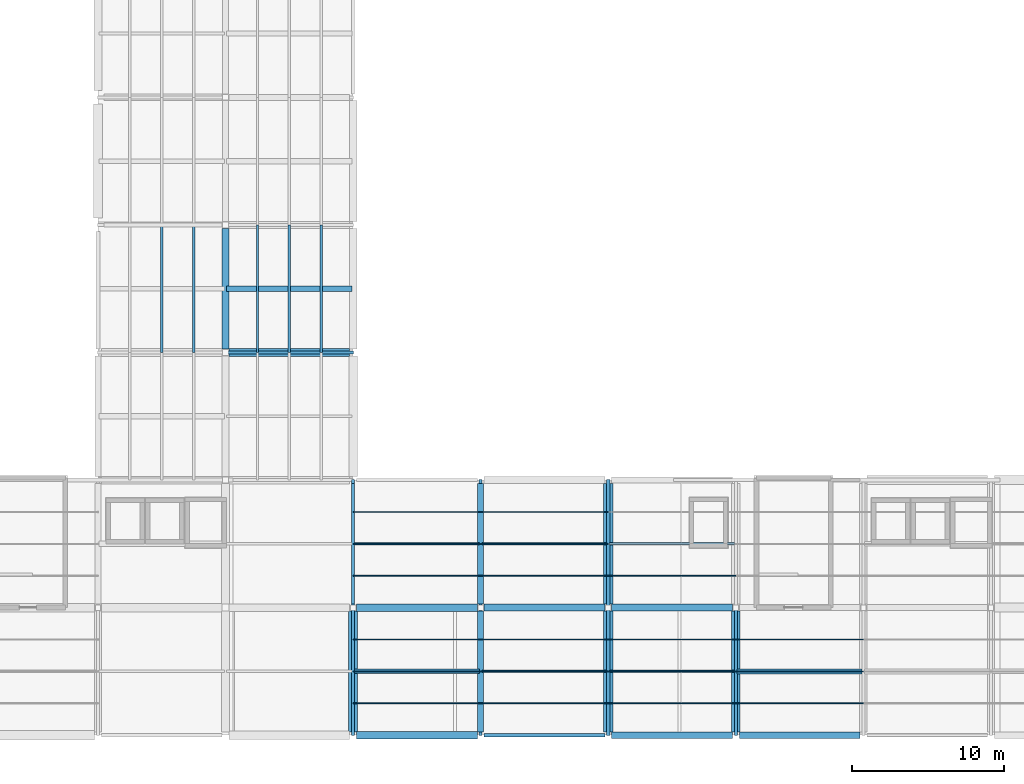
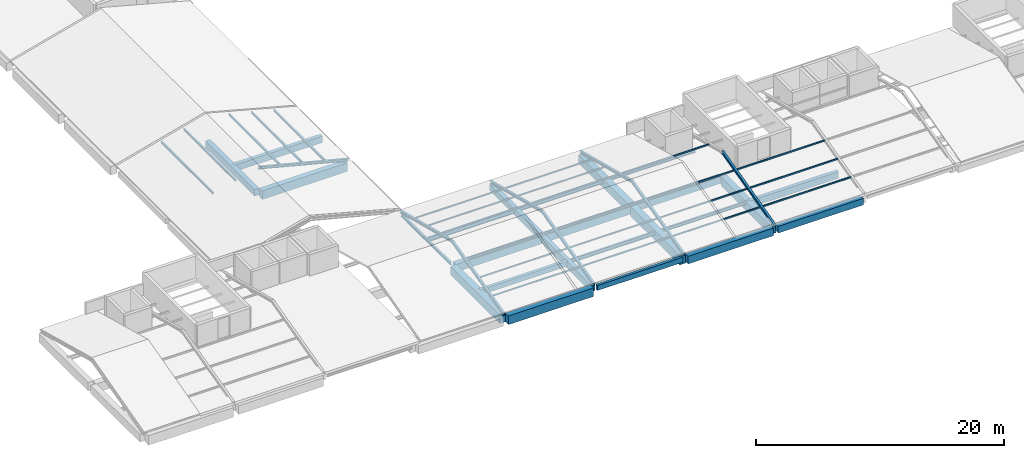
# One storey, part 2 of 17: 32 members, 24 beams.
"""IFC4 building model written with IfcOpenShell, lengths in metres."""

from ifc_helpers import new_model, si_unit, derived_unit, direction, frame, origin, origin_2d, place, context, subcontext, project, spatial, rectangle, hollow_rectangle, i_section, extrude, material, material_profile, profile_set, type_object, element, save


model = new_model("IFC4")

# Units and contexts
model_context = context("Model", 3, precision=1e-05, world=origin(), true_north=direction((0.0, 1.0)))
body_context = subcontext(model_context, "Body", "Model", "MODEL_VIEW")
ifc_project = project(units=[si_unit("LENGTHUNIT", "METRE"), si_unit("AREAUNIT", "SQUARE_METRE"), si_unit("VOLUMEUNIT", "CUBIC_METRE"), si_unit("PLANEANGLEUNIT", "RADIAN"), si_unit("MASSUNIT", "GRAM", prefix="KILO"), derived_unit("THERMALTRANSMITTANCEUNIT", [(si_unit("POWERUNIT", "WATT"), 1), (si_unit("LENGTHUNIT", "METRE"), -2), (si_unit("THERMODYNAMICTEMPERATUREUNIT", "KELVIN"), -1)])], contexts=[model_context])

# Site, building, storey
site_placement = place(None, origin())
site = spatial("IfcSite", under=ifc_project, at=site_placement, CompositionType="ELEMENT")
building_placement = place(site_placement, origin())
building = spatial("IfcBuilding", under=site, at=building_placement, Name="Barrovel Congress Hotel", CompositionType="ELEMENT")
storey_placement = place(building_placement, frame((0.0, 0.0, 47.10009765625)))
storey = spatial("IfcBuildingStorey", under=building, at=storey_placement, Name="RF", CompositionType="ELEMENT", Elevation=47.10009765625)

# Beams
ifc_material_1 = material(Name="Concrete C40", Category="concrete")
ifc_material_profile_1 = material_profile(ifc_material_1, rectangle(XDim=0.25, YDim=0.5, at=origin_2d()), Name="RC250x500")
ifc_profile_set_1 = profile_set([ifc_material_profile_1], Name="Concrete C40")
beam_type_1 = type_object("IfcBeamType", Name="BM-RC250x500", PredefinedType="SPANDREL", material=ifc_profile_set_1)
beam_1_placement = place(storey_placement, frame((59.02490234375, 4.199951171875, -0.489990234375), z_axis=(1.0, 0.0, 0.0), x_axis=(0.0, 1.0, 0.0)))
element("IfcBeam", 1, at=beam_1_placement, inside=storey, type_object=beam_type_1, Name="BMX:RF:4.2:58.8-67.2", PredefinedType="SPANDREL", context=body_context, shape_type="SweptSolid", body=[
    extrude(rectangle(XDim=0.25, YDim=0.5, at=origin_2d()), origin(), (0.0, 0.0, 1.0), 7.9501953125),
])
ifc_material_profile_2 = material_profile(ifc_material_1, rectangle(XDim=0.300048828125, YDim=0.5, at=origin_2d()), Name="RC300x500")
ifc_profile_set_2 = profile_set([ifc_material_profile_2], Name="Concrete C40")
beam_type_2 = type_object("IfcBeamType", Name="BM-RC300x500", PredefinedType="JOIST", material=ifc_profile_set_2)
beam_2_placement = place(storey_placement, frame((50.47998046875, 8.39990234375, -0.489990234375), z_axis=(1.0, 0.0, 0.0), x_axis=(0.0, 1.0, 0.0)))
element("IfcBeam", 2, at=beam_2_placement, inside=storey, type_object=beam_type_2, Name="JST:RF:50.4:8.4", PredefinedType="JOIST", context=body_context, shape_type="SweptSolid", body=[
    extrude(rectangle(XDim=0.300048828125, YDim=0.5, at=origin_2d()), origin(), (0.0, 0.0, 1.0), 8.239990234375),
])
ifc_material_profile_3 = material_profile(ifc_material_1, rectangle(XDim=0.35009765625, YDim=0.64990234375, at=origin_2d()), Name="RC350x650")
ifc_profile_set_3 = profile_set([ifc_material_profile_3], Name="Concrete C40")
beam_type_3 = type_object("IfcBeamType", Name="BM-RC350x650", PredefinedType="JOIST", material=ifc_profile_set_3)
for number, where, z_axis, x_axis, name in (
    (3, (42.080078125, 33.60009765625, -0.565185546875), (1.0, 0.0, 0.0), (0.0, 1.0, 0.0), "JST:RF:42.0:33.6"),
    (4, (75.679931640625, 8.39990234375, -0.565185546875), (1.0, 0.0, 0.0), (0.0, 1.0, 0.0), "JST:RF:75.6:8.4"),
):
    element("IfcBeam", number, at=place(storey_placement, frame(where, z_axis=z_axis, x_axis=x_axis)), inside=storey, type_object=beam_type_3, Name=name, PredefinedType="JOIST", context=body_context, shape_type="SweptSolid", body=[
        extrude(rectangle(XDim=0.35009765625, YDim=0.64990234375, at=origin_2d()), origin(), (0.0, 0.0, 1.0), 8.239990234375),
    ])
ifc_material_profile_4 = material_profile(ifc_material_1, rectangle(XDim=0.39990234375, YDim=0.60009765625, at=origin_2d()), Name="RC400x600")
ifc_profile_set_4 = profile_set([ifc_material_profile_4], Name="Concrete C40")
beam_type_4 = type_object("IfcBeamType", Name="BM-RC400x600", PredefinedType="BEAM", material=ifc_profile_set_4)
beam_3_placement = place(storey_placement, frame((58.800048828125, 12.824951171875, -0.5400390625), z_axis=(0.0, 1.0, 0.0), x_axis=(-1.0, 0.0, 0.0)))
element("IfcBeam", 5, at=beam_3_placement, inside=storey, type_object=beam_type_4, Name="BMY:RF:58.8:12.6-21.0", PredefinedType="BEAM", context=body_context, shape_type="SweptSolid", body=[
    extrude(rectangle(XDim=0.39990234375, YDim=0.60009765625, at=origin_2d()), origin(), (0.0, 0.0, 1.0), 7.949951171875),
])
ifc_material_profile_5 = material_profile(ifc_material_1, rectangle(XDim=0.39990234375, YDim=0.699951171875, at=origin_2d()), Name="RC400x700")
ifc_profile_set_5 = profile_set([ifc_material_profile_5], Name="Concrete C40")
beam_type_5 = type_object("IfcBeamType", Name="BM-RC400x700", PredefinedType="BEAM", material=ifc_profile_set_5)
beam_4_placement = place(storey_placement, frame((58.800048828125, 4.425048828125, -0.590087890625), z_axis=(0.0, 1.0, 0.0), x_axis=(-1.0, 0.0, 0.0)))
element("IfcBeam", 6, at=beam_4_placement, inside=storey, type_object=beam_type_5, Name="BMY:RF:58.8:4.2-12.6", PredefinedType="BEAM", context=body_context, shape_type="SweptSolid", body=[
    extrude(rectangle(XDim=0.39990234375, YDim=0.699951171875, at=origin_2d()), origin(), (0.0, 0.0, 1.0), 7.949951171875),
])
ifc_material_profile_6 = material_profile(ifc_material_1, rectangle(XDim=0.449951171875, YDim=0.64990234375, at=origin_2d()), Name="RC450x650")
ifc_profile_set_6 = profile_set([ifc_material_profile_6], Name="Concrete C40")
beam_type_6 = type_object("IfcBeamType", Name="BM-RC450x650", PredefinedType="BEAM", material=ifc_profile_set_6)
for number, where, z_axis, x_axis, name in (
    (7, (75.824951171875, 4.199951171875, -0.565185546875), (1.0, 0.0, 0.0), (0.0, 1.0, 0.0), "BMX:RF:4.2:75.6-84.0"),
    (8, (67.425048828125, 12.60009765625, -0.565185546875), (1.0, 0.0, 0.0), (0.0, 1.0, 0.0), "BMX:RF:12.6:67.2-75.6"),
    (9, (42.0, 29.625, -0.565185546875), (0.0, 1.0, 0.0), (-1.0, 0.0, 0.0), "BMY:RF:42.0:29.4-37.8"),
):
    element("IfcBeam", number, at=place(storey_placement, frame(where, z_axis=z_axis, x_axis=x_axis)), inside=storey, type_object=beam_type_6, Name=name, PredefinedType="BEAM", context=body_context, shape_type="SweptSolid", body=[
        extrude(rectangle(XDim=0.449951171875, YDim=0.64990234375, at=origin_2d()), origin(), (0.0, 0.0, 1.0), 7.949951171875),
    ])
ifc_material_profile_7 = material_profile(ifc_material_1, rectangle(XDim=0.449951171875, YDim=0.75, at=origin_2d()), Name="RC450x750")
ifc_profile_set_7 = profile_set([ifc_material_profile_7], Name="Concrete C40")
beam_type_7 = type_object("IfcBeamType", Name="BM-RC450x750", PredefinedType="BEAM", material=ifc_profile_set_7)
beam_5_placement = place(storey_placement, frame((67.425048828125, 4.199951171875, -0.614990234375), z_axis=(1.0, 0.0, 0.0), x_axis=(0.0, 1.0, 0.0)))
element("IfcBeam", 10, at=beam_5_placement, inside=storey, type_object=beam_type_7, Name="BMX:RF:4.2:67.2-75.6", PredefinedType="BEAM", context=body_context, shape_type="SweptSolid", body=[
    extrude(rectangle(XDim=0.449951171875, YDim=0.75, at=origin_2d()), origin(), (0.0, 0.0, 1.0), 7.949951171875),
])
beam_6_placement = place(storey_placement, frame((59.02490234375, 12.60009765625, -0.614990234375), z_axis=(1.0, 0.0, 0.0), x_axis=(0.0, 1.0, 0.0)))
element("IfcBeam", 11, at=beam_6_placement, inside=storey, type_object=beam_type_7, Name="BMX:RF:12.6:58.8-67.2", PredefinedType="BEAM", context=body_context, shape_type="SweptSolid", body=[
    extrude(rectangle(XDim=0.449951171875, YDim=0.75, at=origin_2d()), origin(), (0.0, 0.0, 1.0), 7.9501953125),
])
ifc_material_profile_8 = material_profile(ifc_material_1, rectangle(XDim=0.5, YDim=0.75, at=origin_2d()), Name="RC500x750")
ifc_profile_set_8 = profile_set([ifc_material_profile_8], Name="Concrete C40")
beam_type_8 = type_object("IfcBeamType", Name="BM-RC500x750", PredefinedType="BEAM", material=ifc_profile_set_8)
beam_7_placement = place(storey_placement, frame((50.625, 12.60009765625, -0.614990234375), z_axis=(1.0, 0.0, 0.0), x_axis=(0.0, 1.0, 0.0)))
element("IfcBeam", 12, at=beam_7_placement, inside=storey, type_object=beam_type_8, Name="BMX:RF:12.6:50.4-58.8", PredefinedType="BEAM", context=body_context, shape_type="SweptSolid", body=[
    extrude(rectangle(XDim=0.5, YDim=0.75, at=origin_2d()), origin(), (0.0, 0.0, 1.0), 7.949951171875),
])
ifc_material_profile_9 = material_profile(ifc_material_1, rectangle(XDim=0.5, YDim=0.85009765625, at=origin_2d()), Name="RC500x850")
ifc_profile_set_9 = profile_set([ifc_material_profile_9], Name="Concrete C40")
beam_type_9 = type_object("IfcBeamType", Name="BM-RC500x850", PredefinedType="BEAM", material=ifc_profile_set_9)
for number, where, z_axis, x_axis, name in (
    (13, (50.625, 4.199951171875, -0.6650390625), (1.0, 0.0, 0.0), (0.0, 1.0, 0.0), "BMX:RF:4.2:50.4-58.8"),
    (14, (42.22509765625, 29.39990234375, -0.6650390625), (1.0, 0.0, 0.0), (0.0, 1.0, 0.0), "BMX:RF:29.4:42.0-50.4"),
):
    element("IfcBeam", number, at=place(storey_placement, frame(where, z_axis=z_axis, x_axis=x_axis)), inside=storey, type_object=beam_type_9, Name=name, PredefinedType="BEAM", context=body_context, shape_type="SweptSolid", body=[
        extrude(rectangle(XDim=0.5, YDim=0.85009765625, at=origin_2d()), origin(), (0.0, 0.0, 1.0), 7.949951171875),
    ])
ifc_material_profile_10 = material_profile(ifc_material_1, rectangle(XDim=0.550048828125, YDim=0.89990234375, at=origin_2d()), Name="RC550x900")
ifc_profile_set_10 = profile_set([ifc_material_profile_10], Name="Concrete C40")
beam_type_10 = type_object("IfcBeamType", Name="BM-RC550x900", PredefinedType="BEAM", material=ifc_profile_set_10)
beam_8_placement = place(storey_placement, frame((75.60009765625, 4.425048828125, -0.690185546875), z_axis=(0.0, 1.0, 0.0), x_axis=(-1.0, 0.0, 0.0)))
element("IfcBeam", 15, at=beam_8_placement, inside=storey, type_object=beam_type_10, Name="BMY:RF:75.6:4.2-12.6", PredefinedType="BEAM", context=body_context, shape_type="SweptSolid", body=[
    extrude(rectangle(XDim=0.550048828125, YDim=0.89990234375, at=origin_2d()), origin(), (0.0, 0.0, 1.0), 7.949951171875),
])
ifc_material_profile_11 = material_profile(ifc_material_1, rectangle(XDim=0.60009765625, YDim=0.85009765625, at=origin_2d()), Name="RC600x850")
ifc_profile_set_11 = profile_set([ifc_material_profile_11], Name="Concrete C40")
beam_type_11 = type_object("IfcBeamType", Name="BM-RC600x850", PredefinedType="BEAM", material=ifc_profile_set_11)
for number, where, z_axis, x_axis, name in (
    (16, (50.39990234375, 4.425048828125, -0.6650390625), (0.0, 1.0, 0.0), (-1.0, 0.0, 0.0), "BMY:RF:50.4:4.2-12.6"),
    (17, (67.199951171875, 12.824951171875, -0.6650390625), (0.0, 1.0, 0.0), (-1.0, 0.0, 0.0), "BMY:RF:67.2:12.6-21.0"),
):
    element("IfcBeam", number, at=place(storey_placement, frame(where, z_axis=z_axis, x_axis=x_axis)), inside=storey, type_object=beam_type_11, Name=name, PredefinedType="BEAM", context=body_context, shape_type="SweptSolid", body=[
        extrude(rectangle(XDim=0.60009765625, YDim=0.85009765625, at=origin_2d()), origin(), (0.0, 0.0, 1.0), 7.949951171875),
    ])
ifc_material_profile_12 = material_profile(ifc_material_1, rectangle(XDim=0.60009765625, YDim=0.949951171875, at=origin_2d()), Name="RC600x950")
ifc_profile_set_12 = profile_set([ifc_material_profile_12], Name="Concrete C40")
beam_type_12 = type_object("IfcBeamType", Name="BM-RC600x950", PredefinedType="BEAM", material=ifc_profile_set_12)
beam_9_placement = place(storey_placement, frame((67.199951171875, 4.425048828125, -0.715087890625), z_axis=(0.0, 1.0, 0.0), x_axis=(-1.0, 0.0, 0.0)))
element("IfcBeam", 18, at=beam_9_placement, inside=storey, type_object=beam_type_12, Name="BMY:RF:67.2:4.2-12.6", PredefinedType="BEAM", context=body_context, shape_type="SweptSolid", body=[
    extrude(rectangle(XDim=0.60009765625, YDim=0.949951171875, at=origin_2d()), origin(), (0.0, 0.0, 1.0), 7.949951171875),
])

# Members
ifc_material_2 = material(Name="Steel ASTM A500 Grade C", Category="steel")
ifc_material_profile_13 = material_profile(ifc_material_2, hollow_rectangle(XDim=0.076171875, YDim=0.15234375, WallThickness=0.005859375, InnerFilletRadius=0.005859375, OuterFilletRadius=0.01171875, at=origin_2d()), Name="HSS152x76x6.4")
ifc_profile_set_13 = profile_set([ifc_material_profile_13], Name="Steel ASTM A500 Grade C")
member_type_1 = type_object("IfcMemberType", Name="MEM-HSS152x76x6.4", PredefinedType="STRINGER", material=ifc_profile_set_13)
member_1_placement = place(storey_placement, frame((50.39990234375, 6.300048828125, 0.3876953125), z_axis=(1.0, 0.0, 0.0), x_axis=(0.0, 1.0, 0.0)))
element("IfcMember", 19, at=member_1_placement, inside=storey, type_object=member_type_1, Name="RF-PUR:6.3:50.4", PredefinedType="STRINGER", context=body_context, shape_type="SweptSolid", body=[
    extrude(hollow_rectangle(XDim=0.076171875, YDim=0.15234375, WallThickness=0.005859375, InnerFilletRadius=0.005859375, OuterFilletRadius=0.01171875, at=origin_2d()), origin(), (0.0, 0.0, 1.0), 8.400146484375),
])
member_2_placement = place(storey_placement, frame((58.800048828125, 6.300048828125, 0.3876953125), z_axis=(1.0, 0.0, 0.0), x_axis=(0.0, 1.0, 0.0)))
element("IfcMember", 20, at=member_2_placement, inside=storey, type_object=member_type_1, Name="RF-PUR:6.3:58.8", PredefinedType="STRINGER", context=body_context, shape_type="SweptSolid", body=[
    extrude(hollow_rectangle(XDim=0.076171875, YDim=0.15234375, WallThickness=0.005859375, InnerFilletRadius=0.005859375, OuterFilletRadius=0.01171875, at=origin_2d()), origin(), (0.0, 0.0, 1.0), 8.39990234375),
])
member_3_placement = place(storey_placement, frame((67.199951171875, 6.300048828125, 0.3876953125), z_axis=(1.0, 0.0, 0.0), x_axis=(0.0, 1.0, 0.0)))
element("IfcMember", 21, at=member_3_placement, inside=storey, type_object=member_type_1, Name="RF-PUR:6.3:67.2", PredefinedType="STRINGER", context=body_context, shape_type="SweptSolid", body=[
    extrude(hollow_rectangle(XDim=0.076171875, YDim=0.15234375, WallThickness=0.005859375, InnerFilletRadius=0.005859375, OuterFilletRadius=0.01171875, at=origin_2d()), origin(), (0.0, 0.0, 1.0), 8.400146484375),
])
member_4_placement = place(storey_placement, frame((75.60009765625, 6.300048828125, 0.3876953125), z_axis=(1.0, 0.0, 0.0), x_axis=(0.0, 1.0, 0.0)))
element("IfcMember", 22, at=member_4_placement, inside=storey, type_object=member_type_1, Name="RF-PUR:6.3:75.6", PredefinedType="STRINGER", context=body_context, shape_type="SweptSolid", body=[
    extrude(hollow_rectangle(XDim=0.076171875, YDim=0.15234375, WallThickness=0.005859375, InnerFilletRadius=0.005859375, OuterFilletRadius=0.01171875, at=origin_2d()), origin(), (0.0, 0.0, 1.0), 8.39990234375),
])
member_5_placement = place(storey_placement, frame((50.39990234375, 8.39990234375, 0.92529296875), z_axis=(1.0, 0.0, 0.0), x_axis=(0.0, 1.0, 0.0)))
element("IfcMember", 23, at=member_5_placement, inside=storey, type_object=member_type_1, Name="RF-PUR:8.4:50.4", PredefinedType="STRINGER", context=body_context, shape_type="SweptSolid", body=[
    extrude(hollow_rectangle(XDim=0.076171875, YDim=0.15234375, WallThickness=0.005859375, InnerFilletRadius=0.005859375, OuterFilletRadius=0.01171875, at=origin_2d()), origin(), (0.0, 0.0, 1.0), 8.400146484375),
])
member_6_placement = place(storey_placement, frame((58.800048828125, 8.39990234375, 0.92529296875), z_axis=(1.0, 0.0, 0.0), x_axis=(0.0, 1.0, 0.0)))
element("IfcMember", 24, at=member_6_placement, inside=storey, type_object=member_type_1, Name="RF-PUR:8.4:58.8", PredefinedType="STRINGER", context=body_context, shape_type="SweptSolid", body=[
    extrude(hollow_rectangle(XDim=0.076171875, YDim=0.15234375, WallThickness=0.005859375, InnerFilletRadius=0.005859375, OuterFilletRadius=0.01171875, at=origin_2d()), origin(), (0.0, 0.0, 1.0), 8.39990234375),
])
member_7_placement = place(storey_placement, frame((67.199951171875, 8.39990234375, 0.92529296875), z_axis=(1.0, 0.0, 0.0), x_axis=(0.0, 1.0, 0.0)))
element("IfcMember", 25, at=member_7_placement, inside=storey, type_object=member_type_1, Name="RF-PUR:8.4:67.2", PredefinedType="STRINGER", context=body_context, shape_type="SweptSolid", body=[
    extrude(hollow_rectangle(XDim=0.076171875, YDim=0.15234375, WallThickness=0.005859375, InnerFilletRadius=0.005859375, OuterFilletRadius=0.01171875, at=origin_2d()), origin(), (0.0, 0.0, 1.0), 8.400146484375),
])
member_8_placement = place(storey_placement, frame((75.60009765625, 8.39990234375, 0.92529296875), z_axis=(1.0, 0.0, 0.0), x_axis=(0.0, 1.0, 0.0)))
element("IfcMember", 26, at=member_8_placement, inside=storey, type_object=member_type_1, Name="RF-PUR:8.4:75.6", PredefinedType="STRINGER", context=body_context, shape_type="SweptSolid", body=[
    extrude(hollow_rectangle(XDim=0.076171875, YDim=0.15234375, WallThickness=0.005859375, InnerFilletRadius=0.005859375, OuterFilletRadius=0.01171875, at=origin_2d()), origin(), (0.0, 0.0, 1.0), 8.39990234375),
])
member_9_placement = place(storey_placement, frame((50.39990234375, 10.5, 1.462890625), z_axis=(1.0, 0.0, 0.0), x_axis=(0.0, 1.0, 0.0)))
element("IfcMember", 27, at=member_9_placement, inside=storey, type_object=member_type_1, Name="RF-PUR:10.5:50.4", PredefinedType="STRINGER", context=body_context, shape_type="SweptSolid", body=[
    extrude(hollow_rectangle(XDim=0.076171875, YDim=0.15234375, WallThickness=0.005859375, InnerFilletRadius=0.005859375, OuterFilletRadius=0.01171875, at=origin_2d()), origin(), (0.0, 0.0, 1.0), 8.400146484375),
])
member_10_placement = place(storey_placement, frame((58.800048828125, 10.5, 1.462890625), z_axis=(1.0, 0.0, 0.0), x_axis=(0.0, 1.0, 0.0)))
element("IfcMember", 28, at=member_10_placement, inside=storey, type_object=member_type_1, Name="RF-PUR:10.5:58.8", PredefinedType="STRINGER", context=body_context, shape_type="SweptSolid", body=[
    extrude(hollow_rectangle(XDim=0.076171875, YDim=0.15234375, WallThickness=0.005859375, InnerFilletRadius=0.005859375, OuterFilletRadius=0.01171875, at=origin_2d()), origin(), (0.0, 0.0, 1.0), 8.39990234375),
])
member_11_placement = place(storey_placement, frame((67.199951171875, 10.5, 1.462890625), z_axis=(1.0, 0.0, 0.0), x_axis=(0.0, 1.0, 0.0)))
element("IfcMember", 29, at=member_11_placement, inside=storey, type_object=member_type_1, Name="RF-PUR:10.5:67.2", PredefinedType="STRINGER", context=body_context, shape_type="SweptSolid", body=[
    extrude(hollow_rectangle(XDim=0.076171875, YDim=0.15234375, WallThickness=0.005859375, InnerFilletRadius=0.005859375, OuterFilletRadius=0.01171875, at=origin_2d()), origin(), (0.0, 0.0, 1.0), 8.400146484375),
])
member_12_placement = place(storey_placement, frame((75.60009765625, 10.5, 1.462890625), z_axis=(1.0, 0.0, 0.0), x_axis=(0.0, 1.0, 0.0)))
element("IfcMember", 30, at=member_12_placement, inside=storey, type_object=member_type_1, Name="RF-PUR:10.5:75.6", PredefinedType="STRINGER", context=body_context, shape_type="SweptSolid", body=[
    extrude(hollow_rectangle(XDim=0.076171875, YDim=0.15234375, WallThickness=0.005859375, InnerFilletRadius=0.005859375, OuterFilletRadius=0.01171875, at=origin_2d()), origin(), (0.0, 0.0, 1.0), 8.39990234375),
])
member_13_placement = place(storey_placement, frame((50.39990234375, 14.699951171875, 1.462890625), z_axis=(1.0, 0.0, 0.0), x_axis=(0.0, 1.0, 0.0)))
element("IfcMember", 31, at=member_13_placement, inside=storey, type_object=member_type_1, Name="RF-PUR:14.7:50.4", PredefinedType="STRINGER", context=body_context, shape_type="SweptSolid", body=[
    extrude(hollow_rectangle(XDim=0.076171875, YDim=0.15234375, WallThickness=0.005859375, InnerFilletRadius=0.005859375, OuterFilletRadius=0.01171875, at=origin_2d()), origin(), (0.0, 0.0, 1.0), 8.400146484375),
])
member_14_placement = place(storey_placement, frame((58.800048828125, 14.699951171875, 1.462890625), z_axis=(1.0, 0.0, 0.0), x_axis=(0.0, 1.0, 0.0)))
element("IfcMember", 32, at=member_14_placement, inside=storey, type_object=member_type_1, Name="RF-PUR:14.7:58.8", PredefinedType="STRINGER", context=body_context, shape_type="SweptSolid", body=[
    extrude(hollow_rectangle(XDim=0.076171875, YDim=0.15234375, WallThickness=0.005859375, InnerFilletRadius=0.005859375, OuterFilletRadius=0.01171875, at=origin_2d()), origin(), (0.0, 0.0, 1.0), 8.39990234375),
])
for number, where, z_axis, x_axis, name in (
    (33, (67.199951171875, 14.699951171875, 1.462890625), (1.0, 0.0, 0.0), (0.0, 1.0, 0.0), "RF-PUR:14.7:67.2"),
    (34, (50.39990234375, 16.800048828125, 0.92529296875), (1.0, 0.0, 0.0), (0.0, 1.0, 0.0), "RF-PUR:16.8:50.4"),
):
    element("IfcMember", number, at=place(storey_placement, frame(where, z_axis=z_axis, x_axis=x_axis)), inside=storey, type_object=member_type_1, Name=name, PredefinedType="STRINGER", context=body_context, shape_type="SweptSolid", body=[
        extrude(hollow_rectangle(XDim=0.076171875, YDim=0.15234375, WallThickness=0.005859375, InnerFilletRadius=0.005859375, OuterFilletRadius=0.01171875, at=origin_2d()), origin(), (0.0, 0.0, 1.0), 8.400146484375),
    ])
member_15_placement = place(storey_placement, frame((58.800048828125, 16.800048828125, 0.92529296875), z_axis=(1.0, 0.0, 0.0), x_axis=(0.0, 1.0, 0.0)))
element("IfcMember", 35, at=member_15_placement, inside=storey, type_object=member_type_1, Name="RF-PUR:16.8:58.8", PredefinedType="STRINGER", context=body_context, shape_type="SweptSolid", body=[
    extrude(hollow_rectangle(XDim=0.076171875, YDim=0.15234375, WallThickness=0.005859375, InnerFilletRadius=0.005859375, OuterFilletRadius=0.01171875, at=origin_2d()), origin(), (0.0, 0.0, 1.0), 8.39990234375),
])
member_16_placement = place(storey_placement, frame((50.39990234375, 18.89990234375, 0.3876953125), z_axis=(1.0, 0.0, 0.0), x_axis=(0.0, 1.0, 0.0)))
element("IfcMember", 36, at=member_16_placement, inside=storey, type_object=member_type_1, Name="RF-PUR:18.9:50.4", PredefinedType="STRINGER", context=body_context, shape_type="SweptSolid", body=[
    extrude(hollow_rectangle(XDim=0.076171875, YDim=0.15234375, WallThickness=0.005859375, InnerFilletRadius=0.005859375, OuterFilletRadius=0.01171875, at=origin_2d()), origin(), (0.0, 0.0, 1.0), 8.400146484375),
])
member_17_placement = place(storey_placement, frame((58.800048828125, 18.89990234375, 0.3876953125), z_axis=(1.0, 0.0, 0.0), x_axis=(0.0, 1.0, 0.0)))
element("IfcMember", 37, at=member_17_placement, inside=storey, type_object=member_type_1, Name="RF-PUR:18.9:58.8", PredefinedType="STRINGER", context=body_context, shape_type="SweptSolid", body=[
    extrude(hollow_rectangle(XDim=0.076171875, YDim=0.15234375, WallThickness=0.005859375, InnerFilletRadius=0.005859375, OuterFilletRadius=0.01171875, at=origin_2d()), origin(), (0.0, 0.0, 1.0), 8.39990234375),
])
ifc_material_3 = material(Name="Steel ASTM A992 Grade 50", Category="steel")
ifc_material_profile_14 = material_profile(ifc_material_3, i_section(OverallWidth=0.152099609375, OverallDepth=0.152099609375, WebThickness=0.005859375, FlangeThickness=0.006591796875, FilletRadius=0.009033203125, at=origin_2d()), Name="W150x22.5")
ifc_profile_set_14 = profile_set([ifc_material_profile_14], Name="Steel ASTM A992 Grade 50")
member_type_2 = type_object("IfcMemberType", Name="MEM-W150x22.5", PredefinedType="STRINGER", material=ifc_profile_set_14)
for number, where, z_axis, x_axis, name in (
    (38, (37.800048828125, 29.39990234375, 0.92529296875), (0.0, 1.0, 0.0), (-1.0, 0.0, 0.0), "RF-WPUR:37.8:29.4"),
    (39, (39.89990234375, 29.39990234375, 1.462890625), (0.0, 1.0, 0.0), (-1.0, 0.0, 0.0), "RF-WPUR:39.9:29.4"),
    (40, (44.10009765625, 29.39990234375, 1.462890625), (0.0, 1.0, 0.0), (-1.0, 0.0, 0.0), "RF-WPUR:44.1:29.4"),
    (41, (46.199951171875, 29.39990234375, 0.92529296875), (0.0, 1.0, 0.0), (-1.0, 0.0, 0.0), "RF-WPUR:46.2:29.4"),
    (42, (48.300048828125, 29.39990234375, 0.3876953125), (0.0, 1.0, 0.0), (-1.0, 0.0, 0.0), "RF-WPUR:48.3:29.4"),
):
    element("IfcMember", number, at=place(storey_placement, frame(where, z_axis=z_axis, x_axis=x_axis)), inside=storey, type_object=member_type_2, Name=name, PredefinedType="STRINGER", context=body_context, shape_type="SweptSolid", body=[
        extrude(i_section(OverallWidth=0.152099609375, OverallDepth=0.152099609375, WebThickness=0.005859375, FlangeThickness=0.006591796875, FilletRadius=0.009033203125, at=origin_2d()), origin(), (0.0, 0.0, 1.0), 8.400146484375),
    ])
ifc_material_profile_15 = material_profile(ifc_material_3, i_section(OverallWidth=0.201904296875, OverallDepth=0.2470703125, WebThickness=0.00732421875, FlangeThickness=0.010986328125, FilletRadius=0.011962890625, at=origin_2d()), Name="W250x49")
ifc_profile_set_15 = profile_set([ifc_material_profile_15], Name="Steel ASTM A992 Grade 50")
member_type_3 = type_object("IfcMemberType", Name="MEM-W250x49", PredefinedType="RAFTER", material=ifc_profile_set_15)
member_18_placement = place(storey_placement, frame((50.39990234375, 4.199951171875, -0.150146484375), z_axis=(0.0, 0.968747183788, 0.248050184241), x_axis=(-1.0, 0.0, 0.0)))
element("IfcMember", 43, at=member_18_placement, inside=storey, type_object=member_type_3, Name="RF-RAF-S:50.4", PredefinedType="RAFTER", context=body_context, shape_type="SweptSolid", body=[
    extrude(i_section(OverallWidth=0.201904296875, OverallDepth=0.2470703125, WebThickness=0.00732421875, FlangeThickness=0.010986328125, FilletRadius=0.011962890625, at=origin_2d()), origin(), (0.0, 0.0, 1.0), 8.671142578125),
])
member_19_placement = place(storey_placement, frame((50.39990234375, 12.60009765625, 2.000732421875), z_axis=(0.0, 0.968745451339, -0.248056950134), x_axis=(-1.0, 0.0, 0.0)))
element("IfcMember", 44, at=member_19_placement, inside=storey, type_object=member_type_3, Name="RF-RAF-N:50.4", PredefinedType="RAFTER", context=body_context, shape_type="SweptSolid", body=[
    extrude(i_section(OverallWidth=0.201904296875, OverallDepth=0.2470703125, WebThickness=0.00732421875, FlangeThickness=0.010986328125, FilletRadius=0.011962890625, at=origin_2d()), origin(), (0.0, 0.0, 1.0), 8.6708984375),
])
member_20_placement = place(storey_placement, frame((58.800048828125, 4.199951171875, -0.150146484375), z_axis=(0.0, 0.968747183788, 0.248050184241), x_axis=(-1.0, 0.0, 0.0)))
element("IfcMember", 45, at=member_20_placement, inside=storey, type_object=member_type_3, Name="RF-RAF-S:58.8", PredefinedType="RAFTER", context=body_context, shape_type="SweptSolid", body=[
    extrude(i_section(OverallWidth=0.201904296875, OverallDepth=0.2470703125, WebThickness=0.00732421875, FlangeThickness=0.010986328125, FilletRadius=0.011962890625, at=origin_2d()), origin(), (0.0, 0.0, 1.0), 8.671142578125),
])
member_21_placement = place(storey_placement, frame((58.800048828125, 12.60009765625, 2.000732421875), z_axis=(0.0, 0.968745451339, -0.248056950134), x_axis=(-1.0, 0.0, 0.0)))
element("IfcMember", 46, at=member_21_placement, inside=storey, type_object=member_type_3, Name="RF-RAF-N:58.8", PredefinedType="RAFTER", context=body_context, shape_type="SweptSolid", body=[
    extrude(i_section(OverallWidth=0.201904296875, OverallDepth=0.2470703125, WebThickness=0.00732421875, FlangeThickness=0.010986328125, FilletRadius=0.011962890625, at=origin_2d()), origin(), (0.0, 0.0, 1.0), 8.6708984375),
])
member_22_placement = place(storey_placement, frame((67.199951171875, 4.199951171875, -0.150146484375), z_axis=(0.0, 0.968747183788, 0.248050184241), x_axis=(-1.0, 0.0, 0.0)))
element("IfcMember", 47, at=member_22_placement, inside=storey, type_object=member_type_3, Name="RF-RAF-S:67.2", PredefinedType="RAFTER", context=body_context, shape_type="SweptSolid", body=[
    extrude(i_section(OverallWidth=0.201904296875, OverallDepth=0.2470703125, WebThickness=0.00732421875, FlangeThickness=0.010986328125, FilletRadius=0.011962890625, at=origin_2d()), origin(), (0.0, 0.0, 1.0), 8.671142578125),
])
member_23_placement = place(storey_placement, frame((67.199951171875, 12.60009765625, 2.000732421875), z_axis=(0.0, 0.968745451339, -0.248056950134), x_axis=(-1.0, 0.0, 0.0)))
element("IfcMember", 48, at=member_23_placement, inside=storey, type_object=member_type_3, Name="RF-RAF-N:67.2", PredefinedType="RAFTER", context=body_context, shape_type="SweptSolid", body=[
    extrude(i_section(OverallWidth=0.201904296875, OverallDepth=0.2470703125, WebThickness=0.00732421875, FlangeThickness=0.010986328125, FilletRadius=0.011962890625, at=origin_2d()), origin(), (0.0, 0.0, 1.0), 8.6708984375),
])
member_24_placement = place(storey_placement, frame((75.60009765625, 4.199951171875, -0.150146484375), z_axis=(0.0, 0.968747183788, 0.248050184241), x_axis=(-1.0, 0.0, 0.0)))
element("IfcMember", 49, at=member_24_placement, inside=storey, type_object=member_type_3, Name="RF-RAF-S:75.6", PredefinedType="RAFTER", context=body_context, shape_type="SweptSolid", body=[
    extrude(i_section(OverallWidth=0.201904296875, OverallDepth=0.2470703125, WebThickness=0.00732421875, FlangeThickness=0.010986328125, FilletRadius=0.011962890625, at=origin_2d()), origin(), (0.0, 0.0, 1.0), 8.671142578125),
])
member_25_placement = place(storey_placement, frame((42.0, 29.39990234375, 2.000732421875), z_axis=(0.968745451339, 0.0, -0.248056950134), x_axis=(0.0, 1.0, 0.0)))
element("IfcMember", 50, at=member_25_placement, inside=storey, type_object=member_type_3, Name="RF-WRAF-E:29.4", PredefinedType="RAFTER", context=body_context, shape_type="SweptSolid", body=[
    extrude(i_section(OverallWidth=0.201904296875, OverallDepth=0.2470703125, WebThickness=0.00732421875, FlangeThickness=0.010986328125, FilletRadius=0.011962890625, at=origin_2d()), origin(), (0.0, 0.0, 1.0), 8.6708984375),
])

# Beams
ifc_material_profile_16 = material_profile(ifc_material_3, i_section(OverallWidth=0.201904296875, OverallDepth=0.2470703125, WebThickness=0.00732421875, FlangeThickness=0.010986328125, FilletRadius=0.011962890625, at=origin_2d()), Name="W250x49")
ifc_profile_set_16 = profile_set([ifc_material_profile_16], Name="Steel ASTM A992 Grade 50")
beam_type_13 = type_object("IfcBeamType", Name="SBM-W250x49", PredefinedType="SPANDREL", material=ifc_profile_set_16)
beam_10_placement = place(storey_placement, frame((50.39990234375, 12.824951171875, -0.363525390625), z_axis=(0.0, 1.0, 0.0), x_axis=(-1.0, 0.0, 0.0)))
element("IfcBeam", 51, at=beam_10_placement, inside=storey, type_object=beam_type_13, Name="BMY:RF:50.4:12.6-21.0", PredefinedType="SPANDREL", context=body_context, shape_type="SweptSolid", body=[
    extrude(i_section(OverallWidth=0.201904296875, OverallDepth=0.2470703125, WebThickness=0.00732421875, FlangeThickness=0.010986328125, FilletRadius=0.011962890625, at=origin_2d()), origin(), (0.0, 0.0, 1.0), 7.949951171875),
])
ifc_material_profile_17 = material_profile(ifc_material_3, i_section(OverallWidth=0.1650390625, OverallDepth=0.31005859375, WebThickness=0.005859375, FlangeThickness=0.009765625, FilletRadius=0.010986328125, at=origin_2d()), Name="W310x39")
ifc_profile_set_17 = profile_set([ifc_material_profile_17], Name="Steel ASTM A992 Grade 50")
beam_type_14 = type_object("IfcBeamType", Name="SBM-W310x39", PredefinedType="JOIST", material=ifc_profile_set_17)
beam_11_placement = place(storey_placement, frame((67.280029296875, 16.800048828125, -0.39501953125), z_axis=(1.0, 0.0, 0.0), x_axis=(0.0, 1.0, 0.0)))
element("IfcBeam", 52, at=beam_11_placement, inside=storey, type_object=beam_type_14, Name="JST:RF:67.2:16.8", PredefinedType="JOIST", context=body_context, shape_type="SweptSolid", body=[
    extrude(i_section(OverallWidth=0.1650390625, OverallDepth=0.31005859375, WebThickness=0.005859375, FlangeThickness=0.009765625, FilletRadius=0.010986328125, at=origin_2d()), origin(), (0.0, 0.0, 1.0), 8.239990234375),
])
ifc_material_profile_18 = material_profile(ifc_material_3, i_section(OverallWidth=0.1669921875, OverallDepth=0.31689453125, WebThickness=0.007568359375, FlangeThickness=0.01318359375, FilletRadius=0.010986328125, at=origin_2d()), Name="W310x52")
ifc_profile_set_18 = profile_set([ifc_material_profile_18], Name="Steel ASTM A992 Grade 50")
beam_type_15 = type_object("IfcBeamType", Name="SBM-W310x52", PredefinedType="JOIST", material=ifc_profile_set_18)
beam_12_placement = place(storey_placement, frame((67.280029296875, 8.39990234375, -0.398681640625), z_axis=(1.0, 0.0, 0.0), x_axis=(0.0, 1.0, 0.0)))
element("IfcBeam", 53, at=beam_12_placement, inside=storey, type_object=beam_type_15, Name="JST:RF:67.2:8.4", PredefinedType="JOIST", context=body_context, shape_type="SweptSolid", body=[
    extrude(i_section(OverallWidth=0.1669921875, OverallDepth=0.31689453125, WebThickness=0.007568359375, FlangeThickness=0.01318359375, FilletRadius=0.010986328125, at=origin_2d()), origin(), (0.0, 0.0, 1.0), 8.239990234375),
])
ifc_material_profile_19 = material_profile(ifc_material_3, i_section(OverallWidth=0.1708984375, OverallDepth=0.35205078125, WebThickness=0.0068359375, FlangeThickness=0.009765625, FilletRadius=0.011962890625, at=origin_2d()), Name="W360x44")
ifc_profile_set_19 = profile_set([ifc_material_profile_19], Name="Steel ASTM A992 Grade 50")
beam_type_16 = type_object("IfcBeamType", Name="SBM-W360x44", PredefinedType="JOIST", material=ifc_profile_set_19)
beam_13_placement = place(storey_placement, frame((58.8798828125, 16.800048828125, -0.416015625), z_axis=(1.0, 0.0, 0.0), x_axis=(0.0, 1.0, 0.0)))
element("IfcBeam", 54, at=beam_13_placement, inside=storey, type_object=beam_type_16, Name="JST:RF:58.8:16.8", PredefinedType="JOIST", context=body_context, shape_type="SweptSolid", body=[
    extrude(i_section(OverallWidth=0.1708984375, OverallDepth=0.35205078125, WebThickness=0.0068359375, FlangeThickness=0.009765625, FilletRadius=0.011962890625, at=origin_2d()), origin(), (0.0, 0.0, 1.0), 8.240234375),
])
ifc_material_profile_20 = material_profile(ifc_material_3, i_section(OverallWidth=0.172119140625, OverallDepth=0.35791015625, WebThickness=0.0078125, FlangeThickness=0.01318359375, FilletRadius=0.011962890625, at=origin_2d()), Name="W360x57")
ifc_profile_set_20 = profile_set([ifc_material_profile_20], Name="Steel ASTM A992 Grade 50")
beam_type_17 = type_object("IfcBeamType", Name="SBM-W360x57", PredefinedType="JOIST", material=ifc_profile_set_20)
beam_14_placement = place(storey_placement, frame((58.8798828125, 8.39990234375, -0.419189453125), z_axis=(1.0, 0.0, 0.0), x_axis=(0.0, 1.0, 0.0)))
element("IfcBeam", 55, at=beam_14_placement, inside=storey, type_object=beam_type_17, Name="JST:RF:58.8:8.4", PredefinedType="JOIST", context=body_context, shape_type="SweptSolid", body=[
    extrude(i_section(OverallWidth=0.172119140625, OverallDepth=0.35791015625, WebThickness=0.0078125, FlangeThickness=0.01318359375, FilletRadius=0.011962890625, at=origin_2d()), origin(), (0.0, 0.0, 1.0), 8.240234375),
])
ifc_material_profile_21 = material_profile(ifc_material_3, i_section(OverallWidth=0.177001953125, OverallDepth=0.403076171875, WebThickness=0.007568359375, FlangeThickness=0.010986328125, FilletRadius=0.011962890625, at=origin_2d()), Name="W410x53")
ifc_profile_set_21 = profile_set([ifc_material_profile_21], Name="Steel ASTM A992 Grade 50")
beam_type_18 = type_object("IfcBeamType", Name="SBM-W410x53", PredefinedType="JOIST", material=ifc_profile_set_21)
beam_15_placement = place(storey_placement, frame((50.47998046875, 16.800048828125, -0.441650390625), z_axis=(1.0, 0.0, 0.0), x_axis=(0.0, 1.0, 0.0)))
element("IfcBeam", 56, at=beam_15_placement, inside=storey, type_object=beam_type_18, Name="JST:RF:50.4:16.8", PredefinedType="JOIST", context=body_context, shape_type="SweptSolid", body=[
    extrude(i_section(OverallWidth=0.177001953125, OverallDepth=0.403076171875, WebThickness=0.007568359375, FlangeThickness=0.010986328125, FilletRadius=0.011962890625, at=origin_2d()), origin(), (0.0, 0.0, 1.0), 8.239990234375),
])

save(model, "model.ifc")
